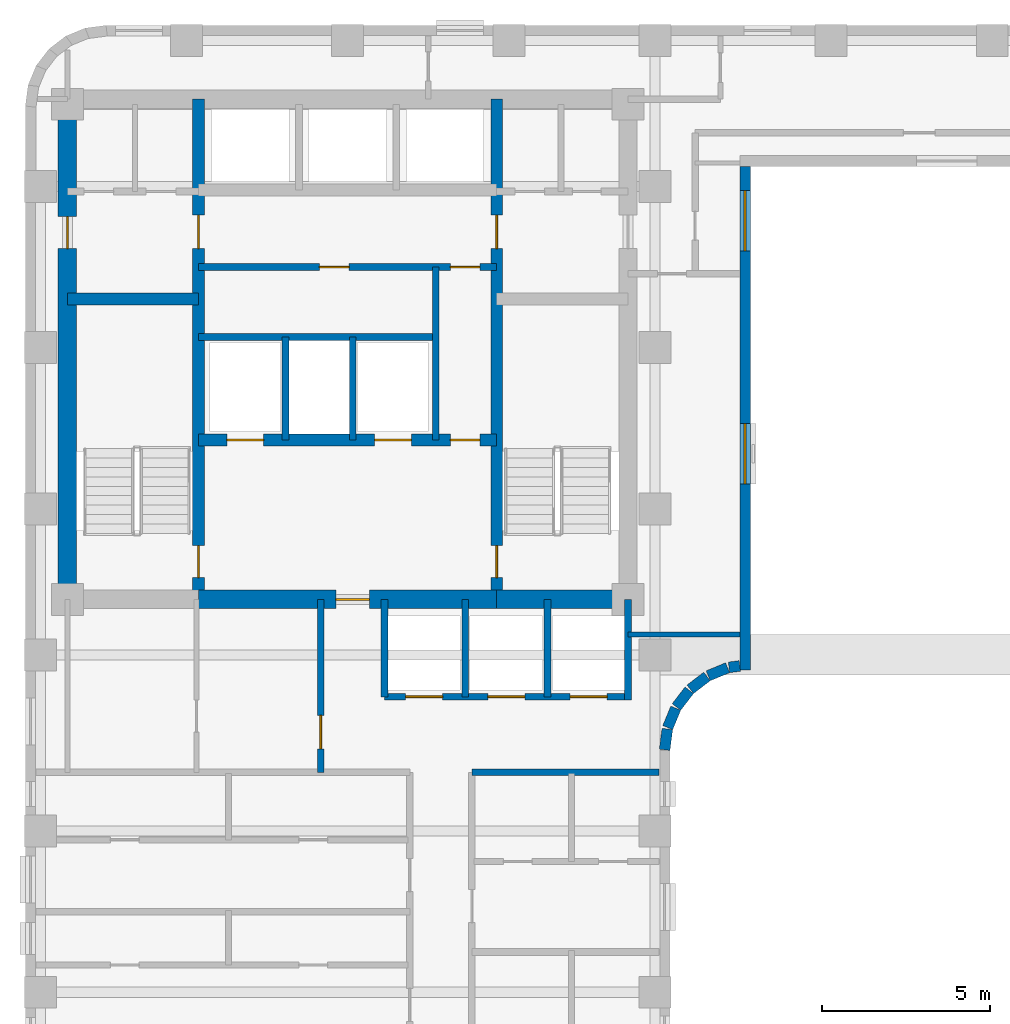
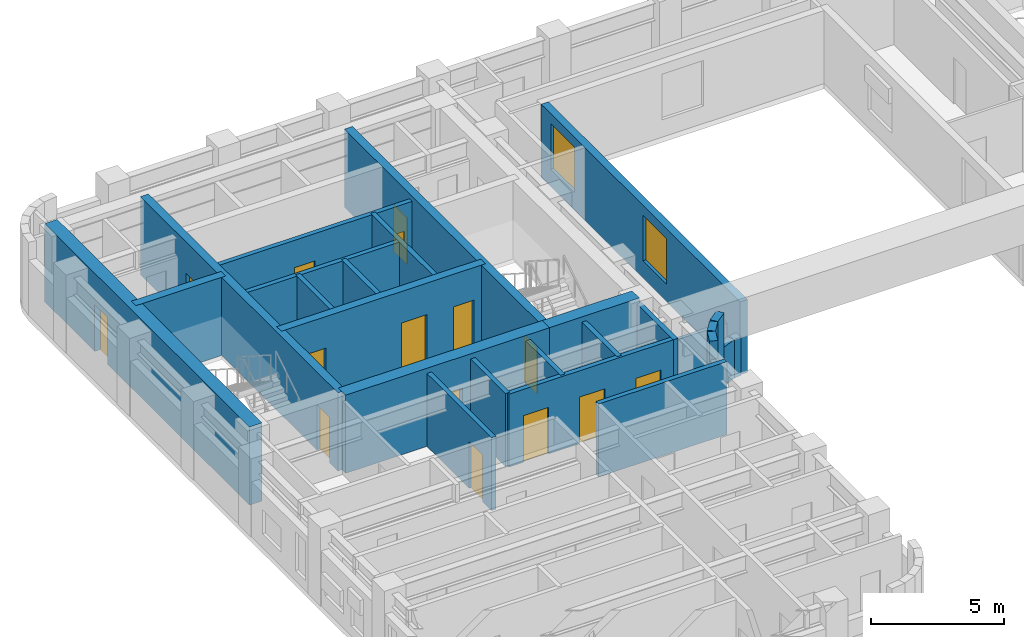
# One storey, part 4 of 8: 27 walls, 15 doors, 2 windows, 17 openings.
"""IFC4 building model written with IfcOpenShell, lengths in metres."""

from ifc_helpers import new_model, si_unit, direction, frame, frame_2d, origin, place, context, subcontext, project, spatial, rectangle, extrude, material, layer, layer_set, type_object, element, fill, save


model = new_model("IFC4")

# Units and contexts
model_context = context("Model", 3, precision=1e-05, world=origin(), true_north=direction((0.0, 1.0)))
body_context = subcontext(model_context, "Body", "Model", "MODEL_VIEW")
ifc_project = project(units=[si_unit("LENGTHUNIT", "METRE"), si_unit("AREAUNIT", "SQUARE_METRE"), si_unit("VOLUMEUNIT", "CUBIC_METRE"), si_unit("PLANEANGLEUNIT", "RADIAN"), si_unit("MASSUNIT", "GRAM", prefix="KILO")], contexts=[model_context])

# Site, building, storey
site_placement = place(None, origin())
site = spatial("IfcSite", under=ifc_project, at=site_placement, CompositionType="ELEMENT")
building_placement = place(site_placement, origin())
building = spatial("IfcBuilding", under=site, at=building_placement, Name="Orvandelia Arch Residences", CompositionType="ELEMENT")
storey_placement = place(building_placement, frame((0.0, 0.0, 107.199951171875)))
storey = spatial("IfcBuildingStorey", under=building, at=storey_placement, Name="L27", CompositionType="ELEMENT", Elevation=107.199951171875)

# Wall, openings, doors
ifc_material_1 = material(Name="Concrete C50/60", Category="concrete")
ifc_layer_1 = layer(ifc_material_1, 0.35009765625, Name="Concrete C50/60", Category="concrete")
ifc_layer_set_1 = layer_set([ifc_layer_1], Name="Concrete C50/60")
wall_type_1 = type_object("IfcWallType", Name="WL-CORE-350", PredefinedType="SHEAR", material=ifc_layer_set_1)
wall_1_placement = place(storey_placement, frame((9.9599609375, 30.89990234375, 0.0), z_axis=(0.0, 0.0, 1.0), x_axis=(0.0, 1.0, 0.0)))
wall_1 = element("IfcWall", 1, at=wall_1_placement, inside=storey, type_object=wall_type_1, Name="Core Shear Wall L27-WEB1", PredefinedType="SHEAR", context=body_context, shape_type="SweptSolid", body=[
    extrude(rectangle(XDim=14.900146484375, YDim=0.35009765625, at=frame_2d((7.4501953125, 0.0))), origin(), (0.0, 0.0, 1.0), 3.60009765625),
])
opening_1_placement = place(wall_1_placement, frame((0.64990234375, 0.0, 0.0)))
opening_1 = element("IfcOpeningElement", 2, at=opening_1_placement, cuts=wall_1, Name="Opening D7", PredefinedType="OPENING", context=body_context, shape_type="SweptSolid", body=[
    extrude(rectangle(XDim=0.949951171875, YDim=2.10009765625, at=frame_2d((0.47509765625, 1.050048828125))), frame((0.0, 0.18505859375, 0.0), z_axis=(0.0, -1.0, 0.0), x_axis=(1.0, 0.0, 0.0)), (0.0, 0.0, 1.0), 0.3701171875),
])
opening_2_placement = place(wall_1_placement, frame((10.449951171875, 0.0, 0.0)))
opening_2 = element("IfcOpeningElement", 3, at=opening_2_placement, cuts=wall_1, Name="Opening D6", PredefinedType="OPENING", context=body_context, shape_type="SweptSolid", body=[
    extrude(rectangle(XDim=1.0, YDim=2.14990234375, at=frame_2d((0.5, 1.074951171875))), frame((0.0, 0.18505859375, 0.0), z_axis=(0.0, -1.0, 0.0), x_axis=(1.0, 0.0, 0.0)), (0.0, 0.0, 1.0), 0.3701171875),
])
ifc_material_2 = material(Name="Smokeproof Painted Steel Fire Door", Category="steel")
door_type_1 = type_object("IfcDoorType", Name="DR-FD60-1000", OperationType="NOTDEFINED", PredefinedType="DOOR", material=ifc_material_2)
door_1_placement = place(opening_2_placement, origin())
door_1 = element("IfcDoor", 4, at=door_1_placement, inside=storey, type_object=door_type_1, Name="High-Rise Lift Hall West Vestibule Door L27", OperationType="SINGLE_SWING_LEFT", OverallHeight=2.14990234375, OverallWidth=1.0, PredefinedType="DOOR", context=body_context, shape_type="SweptSolid", body=[
    extrude(rectangle(XDim=1.0, YDim=2.14990234375, at=frame_2d((0.5, 1.074951171875))), frame((0.0, 0.02490234375, 0.0), z_axis=(0.0, -1.0, 0.0), x_axis=(1.0, 0.0, 0.0)), (0.0, 0.0, 1.0), 0.050048828125),
])
fill(opening_2, door_1)
ifc_material_3 = material(Name="Pressurised Stairwell Fire Door")
door_type_2 = type_object("IfcDoorType", Name="DR-STAIR-950", OperationType="NOTDEFINED", PredefinedType="DOOR", material=ifc_material_3)
door_2_placement = place(opening_1_placement, origin())
door_2 = element("IfcDoor", 5, at=door_2_placement, inside=storey, type_object=door_type_2, Name="Stairwell ST-1 Fire Door L27", OperationType="SINGLE_SWING_LEFT", OverallHeight=2.10009765625, OverallWidth=0.949951171875, PredefinedType="DOOR", context=body_context, shape_type="SweptSolid", body=[
    extrude(rectangle(XDim=0.949951171875, YDim=2.10009765625, at=frame_2d((0.47509765625, 1.050048828125))), frame((0.0, 0.02490234375, 0.0), z_axis=(0.0, -1.0, 0.0), x_axis=(1.0, 0.0, 0.0)), (0.0, 0.0, 1.0), 0.050048828125),
])
fill(opening_1, door_2)

wall_2_placement = place(storey_placement, frame((18.840087890625, 30.89990234375, 0.0), z_axis=(0.0, 0.0, 1.0), x_axis=(0.0, 1.0, 0.0)))
wall_2 = element("IfcWall", 6, at=wall_2_placement, inside=storey, type_object=wall_type_1, Name="Core Shear Wall L27-WEB2", PredefinedType="SHEAR", context=body_context, shape_type="SweptSolid", body=[
    extrude(rectangle(XDim=14.900146484375, YDim=0.35009765625, at=frame_2d((7.4501953125, 0.0))), origin(), (0.0, 0.0, 1.0), 3.60009765625),
])
opening_3_placement = place(wall_2_placement, frame((0.64990234375, 0.0, 0.0)))
opening_3 = element("IfcOpeningElement", 7, at=opening_3_placement, cuts=wall_2, Name="Opening D7", PredefinedType="OPENING", context=body_context, shape_type="SweptSolid", body=[
    extrude(rectangle(XDim=0.949951171875, YDim=2.10009765625, at=frame_2d((0.47509765625, 1.050048828125))), frame((0.0, 0.18505859375, 0.0), z_axis=(0.0, -1.0, 0.0), x_axis=(1.0, 0.0, 0.0)), (0.0, 0.0, 1.0), 0.3701171875),
])
opening_4_placement = place(wall_2_placement, frame((10.449951171875, 0.0, 0.0)))
opening_4 = element("IfcOpeningElement", 8, at=opening_4_placement, cuts=wall_2, Name="Opening D6", PredefinedType="OPENING", context=body_context, shape_type="SweptSolid", body=[
    extrude(rectangle(XDim=1.0, YDim=2.14990234375, at=frame_2d((0.5, 1.074951171875))), frame((0.0, 0.18505859375, 0.0), z_axis=(0.0, -1.0, 0.0), x_axis=(1.0, 0.0, 0.0)), (0.0, 0.0, 1.0), 0.3701171875),
])
door_3_placement = place(opening_4_placement, origin())
door_3 = element("IfcDoor", 9, at=door_3_placement, inside=storey, type_object=door_type_1, Name="High-Rise Lift Hall East Vestibule Door L27", OperationType="SINGLE_SWING_RIGHT", OverallHeight=2.14990234375, OverallWidth=1.0, PredefinedType="DOOR", context=body_context, shape_type="SweptSolid", body=[
    extrude(rectangle(XDim=1.0, YDim=2.14990234375, at=frame_2d((0.5, 1.074951171875))), frame((0.0, 0.02490234375, 0.0), z_axis=(0.0, -1.0, 0.0), x_axis=(1.0, 0.0, 0.0)), (0.0, 0.0, 1.0), 0.050048828125),
])
fill(opening_4, door_3)
door_4_placement = place(opening_3_placement, origin())
door_4 = element("IfcDoor", 10, at=door_4_placement, inside=storey, type_object=door_type_2, Name="Stairwell ST-2 Fire Door L27", OperationType="SINGLE_SWING_RIGHT", OverallHeight=2.10009765625, OverallWidth=0.949951171875, PredefinedType="DOOR", context=body_context, shape_type="SweptSolid", body=[
    extrude(rectangle(XDim=0.949951171875, YDim=2.10009765625, at=frame_2d((0.47509765625, 1.050048828125))), frame((0.0, 0.02490234375, 0.0), z_axis=(0.0, -1.0, 0.0), x_axis=(1.0, 0.0, 0.0)), (0.0, 0.0, 1.0), 0.050048828125),
])
fill(opening_3, door_4)

# Wall
wall_3_placement = place(storey_placement, frame((6.050048828125, 39.85009765625, 0.0), z_axis=(0.0, 0.0, 1.0), x_axis=(1.0, 0.0, 0.0)))
element("IfcWall", 11, at=wall_3_placement, inside=storey, type_object=wall_type_1, Name="Core Shear Wall L27-HZ1", PredefinedType="SHEAR", context=body_context, shape_type="SweptSolid", body=[
    extrude(rectangle(XDim=3.909912109375, YDim=0.35009765625, at=frame_2d((1.955078125, 0.0))), origin(), (0.0, 0.0, 1.0), 3.60009765625),
])

# Wall, openings, doors
wall_4_placement = place(storey_placement, frame((9.9599609375, 35.64990234375, 0.0), z_axis=(0.0, 0.0, 1.0), x_axis=(1.0, 0.0, 0.0)))
wall_4 = element("IfcWall", 12, at=wall_4_placement, inside=storey, type_object=wall_type_1, Name="Core Shear Wall L27-HZ3", PredefinedType="SHEAR", context=body_context, shape_type="SweptSolid", body=[
    extrude(rectangle(XDim=8.880126953125, YDim=0.35009765625, at=frame_2d((4.43994140625, 0.0))), origin(), (0.0, 0.0, 1.0), 3.60009765625),
])
opening_5_placement = place(wall_4_placement, frame((0.840087890625, 0.0, 0.0)))
opening_5 = element("IfcOpeningElement", 13, at=opening_5_placement, cuts=wall_4, Name="Opening FLD", PredefinedType="OPENING", context=body_context, shape_type="SweptSolid", body=[
    extrude(rectangle(XDim=1.10009765625, YDim=2.14990234375, at=frame_2d((0.550048828125, 1.074951171875))), frame((0.0, 0.18505859375, 0.0), z_axis=(0.0, -1.0, 0.0), x_axis=(1.0, 0.0, 0.0)), (0.0, 0.0, 1.0), 0.3701171875),
])
opening_6_placement = place(wall_4_placement, frame((5.239990234375, 0.0, 0.0)))
opening_6 = element("IfcOpeningElement", 14, at=opening_6_placement, cuts=wall_4, Name="Opening FLD", PredefinedType="OPENING", context=body_context, shape_type="SweptSolid", body=[
    extrude(rectangle(XDim=1.10009765625, YDim=2.14990234375, at=frame_2d((0.550048828125, 1.074951171875))), frame((0.0, 0.18505859375, 0.0), z_axis=(0.0, -1.0, 0.0), x_axis=(1.0, 0.0, 0.0)), (0.0, 0.0, 1.0), 0.3701171875),
])
opening_7_placement = place(wall_4_placement, frame((7.5, 0.0, 0.0)))
opening_7 = element("IfcOpeningElement", 15, at=opening_7_placement, cuts=wall_4, Name="Opening D5", PredefinedType="OPENING", context=body_context, shape_type="SweptSolid", body=[
    extrude(rectangle(XDim=0.8798828125, YDim=2.10009765625, at=frame_2d((0.43994140625, 1.050048828125))), frame((0.0, 0.18505859375, 0.0), z_axis=(0.0, -1.0, 0.0), x_axis=(1.0, 0.0, 0.0)), (0.0, 0.0, 1.0), 0.3701171875),
])
ifc_material_4 = material(Name="Firefighting Lift Stainless Sliding Door")
door_type_3 = type_object("IfcDoorType", Name="DR-FLFT-1100", OperationType="NOTDEFINED", PredefinedType="DOOR", material=ifc_material_4)
door_5_placement = place(opening_5_placement, origin())
door_5 = element("IfcDoor", 16, at=door_5_placement, inside=storey, type_object=door_type_3, Name="Firefighting Lift Landing Door FLD-FL1-L27", OperationType="SLIDING_TO_LEFT", OverallHeight=2.14990234375, OverallWidth=1.10009765625, PredefinedType="DOOR", context=body_context, shape_type="SweptSolid", body=[
    extrude(rectangle(XDim=1.10009765625, YDim=2.14990234375, at=frame_2d((0.550048828125, 1.074951171875))), frame((0.0, 0.02490234375, 0.0), z_axis=(0.0, -1.0, 0.0), x_axis=(1.0, 0.0, 0.0)), (0.0, 0.0, 1.0), 0.050048828125),
])
fill(opening_5, door_5)
door_6_placement = place(opening_6_placement, origin())
door_6 = element("IfcDoor", 17, at=door_6_placement, inside=storey, type_object=door_type_3, Name="Firefighting Lift Landing Door FLD-FL2-L27", OperationType="SLIDING_TO_RIGHT", OverallHeight=2.14990234375, OverallWidth=1.10009765625, PredefinedType="DOOR", context=body_context, shape_type="SweptSolid", body=[
    extrude(rectangle(XDim=1.10009765625, YDim=2.14990234375, at=frame_2d((0.550048828125, 1.074951171875))), frame((0.0, 0.02490234375, 0.0), z_axis=(0.0, -1.0, 0.0), x_axis=(1.0, 0.0, 0.0)), (0.0, 0.0, 1.0), 0.050048828125),
])
fill(opening_6, door_6)
ifc_material_5 = material(Name="Painted Galvanised Steel Service Door", Category="steel")
door_type_4 = type_object("IfcDoorType", Name="DR-SRV-880", OperationType="NOTDEFINED", PredefinedType="DOOR", material=ifc_material_5)
door_7_placement = place(opening_7_placement, origin())
door_7 = element("IfcDoor", 18, at=door_7_placement, inside=storey, type_object=door_type_4, Name="Core Stairway Passage South Fire Door L27", OperationType="SINGLE_SWING_LEFT", OverallHeight=2.10009765625, OverallWidth=0.8798828125, PredefinedType="DOOR", context=body_context, shape_type="SweptSolid", body=[
    extrude(rectangle(XDim=0.8798828125, YDim=2.10009765625, at=frame_2d((0.43994140625, 1.050048828125))), frame((0.0, 0.02490234375, 0.0), z_axis=(0.0, -1.0, 0.0), x_axis=(1.0, 0.0, 0.0)), (0.0, 0.0, 1.0), 0.050048828125),
])
fill(opening_7, door_7)

# Wall, opening, door
ifc_material_6 = material(Name="Concrete C60/75", Category="concrete")
ifc_layer_2 = layer(ifc_material_6, 0.550048828125, Name="Concrete C60/75", Category="concrete")
ifc_layer_set_2 = layer_set([ifc_layer_2], Name="Concrete C60/75")
wall_type_2 = type_object("IfcWallType", Name="WL-CORE-550", PredefinedType="SHEAR", material=ifc_layer_set_2)
wall_5_placement = place(storey_placement, frame((6.050048828125, 30.625, 0.0), z_axis=(0.0, 0.0, 1.0), x_axis=(0.0, 1.0, 0.0)))
wall_5 = element("IfcWall", 19, at=wall_5_placement, inside=storey, type_object=wall_type_2, Name="Core Shear Wall L27-W", PredefinedType="SHEAR", context=body_context, shape_type="SweptSolid", body=[
    extrude(rectangle(XDim=15.449951171875, YDim=0.550048828125, at=frame_2d((7.72509765625, 0.0))), origin(), (0.0, 0.0, 1.0), 3.60009765625),
])
opening_8_placement = place(wall_5_placement, frame((10.72509765625, 0.0, 0.0)))
opening_8 = element("IfcOpeningElement", 20, at=opening_8_placement, cuts=wall_5, Name="Opening D2", PredefinedType="OPENING", context=body_context, shape_type="SweptSolid", body=[
    extrude(rectangle(XDim=0.949951171875, YDim=2.14990234375, at=frame_2d((0.47509765625, 1.074951171875))), frame((0.0, 0.28515625, 0.0), z_axis=(0.0, -1.0, 0.0), x_axis=(1.0, 0.0, 0.0)), (0.0, 0.0, 1.0), 0.570068359375),
])
ifc_material_7 = material(Name="Solid-Core Timber Interior Fire Door", Category="wood")
door_type_5 = type_object("IfcDoorType", Name="DR-APT-950", OperationType="NOTDEFINED", PredefinedType="DOOR", material=ifc_material_7)
door_8_placement = place(opening_8_placement, origin())
door_8 = element("IfcDoor", 21, at=door_8_placement, inside=storey, type_object=door_type_5, Name="West Viewing Study Door L27", OperationType="SINGLE_SWING_RIGHT", OverallHeight=2.14990234375, OverallWidth=0.949951171875, PredefinedType="DOOR", context=body_context, shape_type="SweptSolid", body=[
    extrude(rectangle(XDim=0.949951171875, YDim=2.14990234375, at=frame_2d((0.47509765625, 1.074951171875))), frame((0.0, 0.02490234375, 0.0), z_axis=(0.0, -1.0, 0.0), x_axis=(1.0, 0.0, 0.0)), (0.0, 0.0, 1.0), 0.050048828125),
])
fill(opening_8, door_8)

wall_6_placement = place(storey_placement, frame((9.9599609375, 30.89990234375, 0.0), z_axis=(0.0, 0.0, 1.0), x_axis=(1.0, 0.0, 0.0)))
wall_6 = element("IfcWall", 22, at=wall_6_placement, inside=storey, type_object=wall_type_2, Name="Core Shear Wall L27-SM", PredefinedType="SHEAR", context=body_context, shape_type="SweptSolid", body=[
    extrude(rectangle(XDim=8.880126953125, YDim=0.550048828125, at=frame_2d((4.43994140625, 0.0))), origin(), (0.0, 0.0, 1.0), 3.60009765625),
])
opening_9_placement = place(wall_6_placement, frame((4.090087890625, 0.0, 0.0)))
opening_9 = element("IfcOpeningElement", 23, at=opening_9_placement, cuts=wall_6, Name="Opening D6", PredefinedType="OPENING", context=body_context, shape_type="SweptSolid", body=[
    extrude(rectangle(XDim=1.0, YDim=2.14990234375, at=frame_2d((0.5, 1.074951171875))), frame((0.0, 0.28515625, 0.0), z_axis=(0.0, -1.0, 0.0), x_axis=(1.0, 0.0, 0.0)), (0.0, 0.0, 1.0), 0.570068359375),
])
door_9_placement = place(opening_9_placement, origin())
door_9 = element("IfcDoor", 24, at=door_9_placement, inside=storey, type_object=door_type_1, Name="Firefighting Lobby Smokeproof Door L27", OperationType="SINGLE_SWING_LEFT", OverallHeight=2.14990234375, OverallWidth=1.0, PredefinedType="DOOR", context=body_context, shape_type="SweptSolid", body=[
    extrude(rectangle(XDim=1.0, YDim=2.14990234375, at=frame_2d((0.5, 1.074951171875))), frame((0.0, 0.02490234375, 0.0), z_axis=(0.0, -1.0, 0.0), x_axis=(1.0, 0.0, 0.0)), (0.0, 0.0, 1.0), 0.050048828125),
])
fill(opening_9, door_9)

# Walls
wall_7_placement = place(storey_placement, frame((18.840087890625, 30.89990234375, 0.0), z_axis=(0.0, 0.0, 1.0), x_axis=(1.0, 0.0, 0.0)))
element("IfcWall", 25, at=wall_7_placement, inside=storey, type_object=wall_type_2, Name="Core Shear Wall L27-SE", PredefinedType="SHEAR", context=body_context, shape_type="SweptSolid", body=[
    extrude(rectangle(XDim=3.909912109375, YDim=0.550048828125, at=frame_2d((1.955078125, 0.0))), origin(), (0.0, 0.0, 1.0), 3.60009765625),
])
ifc_material_8 = material(Name="Fire-Rated Corridor Partition")
ifc_layer_3 = layer(ifc_material_8, 0.199951171875, Name="Fire-Rated Corridor Partition")
ifc_layer_set_3 = layer_set([ifc_layer_3], Name="Fire-Rated Corridor Partition")
wall_type_3 = type_object("IfcWallType", Name="WL-CORR-200", PredefinedType="PARTITIONING", material=ifc_layer_set_3)
wall_8_placement = place(storey_placement, frame((18.10009765625, 25.75, 0.0), z_axis=(0.0, 0.0, 1.0), x_axis=(1.0, 0.0, 0.0)))
element("IfcWall", 26, at=wall_8_placement, inside=storey, type_object=wall_type_3, Name="Interior Partition Wall WL-L27-WCLS-E", PredefinedType="PARTITIONING", context=body_context, shape_type="SweptSolid", body=[
    extrude(rectangle(XDim=5.579833984375, YDim=0.199951171875, at=frame_2d((2.7900390625, 0.0))), origin(), (0.0, 0.0, 1.0), 3.360107421875),
])

# Wall, openings, windows
ifc_material_9 = material(Name="Precast concrete C40/50", Category="concrete")
ifc_layer_4 = layer(ifc_material_9, 0.320068359375, Name="Precast concrete C40/50", Category="concrete")
ifc_layer_set_4 = layer_set([ifc_layer_4], Name="Precast concrete C40/50")
wall_type_4 = type_object("IfcWallType", Name="WL-EXT-STONE-320", PredefinedType="STANDARD", material=ifc_layer_set_4)
wall_9_placement = place(storey_placement, frame((26.239990234375, 43.800048828125, 0.0), z_axis=(0.0, 0.0, 1.0), x_axis=(0.0, -1.0, 0.0)))
wall_9 = element("IfcWall", 27, at=wall_9_placement, inside=storey, type_object=wall_type_4, Name="Coral-Limestone Precast Facade Wall L27-024", PredefinedType="STANDARD", context=body_context, shape_type="SweptSolid", body=[
    extrude(rectangle(XDim=15.0, YDim=0.320068359375, at=frame_2d((7.5, 0.0))), origin(), (0.0, 0.0, 1.0), 3.360107421875),
])
opening_10_placement = place(wall_9_placement, frame((7.6650390625, 0.0, 0.800048828125)))
opening_10 = element("IfcOpeningElement", 28, at=opening_10_placement, cuts=wall_9, Name="Opening W1", PredefinedType="OPENING", context=body_context, shape_type="SweptSolid", body=[
    extrude(rectangle(XDim=1.800048828125, YDim=2.10009765625, at=frame_2d((0.89990234375, 1.050048828125))), frame((0.0, 0.169921875, 0.0), z_axis=(0.0, -1.0, 0.0), x_axis=(1.0, 0.0, 0.0)), (0.0, 0.0, 1.0), 0.340087890625),
])
opening_11_placement = place(wall_9_placement, frame((0.719970703125, 0.0, 0.800048828125)))
opening_11 = element("IfcOpeningElement", 29, at=opening_11_placement, cuts=wall_9, Name="Opening W1", PredefinedType="OPENING", context=body_context, shape_type="SweptSolid", body=[
    extrude(rectangle(XDim=1.800048828125, YDim=2.10009765625, at=frame_2d((0.89990234375, 1.050048828125))), frame((0.0, 0.169921875, 0.0), z_axis=(0.0, -1.0, 0.0), x_axis=(1.0, 0.0, 0.0)), (0.0, 0.0, 1.0), 0.340087890625),
])
ifc_material_10 = material(Name="Tempered Low-E Insulated Glazing", Category="glass")
window_type = type_object("IfcWindowType", Name="WIN-RES-1800x2100", PartitioningType="SINGLE_PANEL", PredefinedType="WINDOW", material=ifc_material_10)
window_1_placement = place(opening_10_placement, origin())
window_1 = element("IfcWindow", 30, at=window_1_placement, inside=storey, type_object=window_type, Name="Recessed Punched Window L27-009", OverallHeight=2.10009765625, OverallWidth=1.800048828125, PartitioningType="SINGLE_PANEL", PredefinedType="WINDOW", context=body_context, shape_type="SweptSolid", body=[
    extrude(rectangle(XDim=1.800048828125, YDim=2.10009765625, at=frame_2d((0.89990234375, 1.050048828125))), frame((0.0, 0.030029296875, 0.0), z_axis=(0.0, -1.0, 0.0), x_axis=(1.0, 0.0, 0.0)), (0.0, 0.0, 1.0), 0.06005859375),
])
fill(opening_10, window_1)
window_2_placement = place(opening_11_placement, origin())
window_2 = element("IfcWindow", 31, at=window_2_placement, inside=storey, type_object=window_type, Name="Recessed Punched Window L27-010", OverallHeight=2.10009765625, OverallWidth=1.800048828125, PartitioningType="SINGLE_PANEL", PredefinedType="WINDOW", context=body_context, shape_type="SweptSolid", body=[
    extrude(rectangle(XDim=1.800048828125, YDim=2.10009765625, at=frame_2d((0.89990234375, 1.050048828125))), frame((0.0, 0.030029296875, 0.0), z_axis=(0.0, -1.0, 0.0), x_axis=(1.0, 0.0, 0.0)), (0.0, 0.0, 1.0), 0.06005859375),
])
fill(opening_11, window_2)

# Walls
wall_10_placement = place(storey_placement, frame((26.081787109375, 28.91943359375, 0.0), z_axis=(0.0, 0.0, 1.0), x_axis=(-0.991512688813, -0.130009953168, 0.0)))
element("IfcWall", 32, at=wall_10_placement, inside=storey, type_object=wall_type_4, Name="Coral-Limestone Precast Facade Wall L27-025", PredefinedType="STANDARD", context=body_context, shape_type="SweptSolid", body=[
    extrude(rectangle(XDim=0.32666015625, YDim=0.320068359375, at=frame_2d((0.163330078125, 0.0))), origin(), (0.0, 0.0, 1.0), 1.780029296875),
])
wall_11_placement = place(storey_placement, frame((25.717529296875, 28.865966796875, 0.0), z_axis=(0.0, 0.0, 1.0), x_axis=(-0.923836271867, -0.382787856107, 0.0)))
element("IfcWall", 33, at=wall_11_placement, inside=storey, type_object=wall_type_4, Name="Coral-Limestone Precast Facade Wall L27-026", PredefinedType="STANDARD", context=body_context, shape_type="SweptSolid", body=[
    extrude(rectangle(XDim=0.626220703125, YDim=0.320068359375, at=frame_2d((0.31298828125, 0.0))), origin(), (0.0, 0.0, 1.0), 1.780029296875),
])
for number, where, z_axis, x_axis, name in (
    (34, (25.1025390625, 28.60546875, 0.0), (0.0, 0.0, 1.0), (-0.793405610854, -0.608693302629, 0.0), "Coral-Limestone Precast Facade Wall L27-027"),
    (35, (24.575927734375, 28.194580078125, 0.0), (0.0, 0.0, 1.0), (-0.608693302629, -0.793405610854, 0.0), "Coral-Limestone Precast Facade Wall L27-028"),
):
    element("IfcWall", number, at=place(storey_placement, frame(where, z_axis=z_axis, x_axis=x_axis)), inside=storey, type_object=wall_type_4, Name=name, PredefinedType="STANDARD", context=body_context, shape_type="SweptSolid", body=[
        extrude(rectangle(XDim=0.62646484375, YDim=0.320068359375, at=frame_2d((0.313232421875, 0.0))), origin(), (0.0, 0.0, 1.0), 3.360107421875),
    ])
wall_12_placement = place(storey_placement, frame((24.173583984375, 27.6611328125, 0.0), z_axis=(0.0, 0.0, 1.0), x_axis=(-0.382455093999, -0.923974080304, 0.0)))
element("IfcWall", 36, at=wall_12_placement, inside=storey, type_object=wall_type_4, Name="Coral-Limestone Precast Facade Wall L27-029", PredefinedType="STANDARD", context=body_context, shape_type="SweptSolid", body=[
    extrude(rectangle(XDim=0.626220703125, YDim=0.320068359375, at=frame_2d((0.31298828125, 0.0))), origin(), (0.0, 0.0, 1.0), 3.360107421875),
])
wall_13_placement = place(storey_placement, frame((23.923095703125, 27.0419921875, 0.0), z_axis=(0.0, 0.0, 1.0), x_axis=(-0.130555323746, -0.9914410257, 0.0)))
element("IfcWall", 37, at=wall_13_placement, inside=storey, type_object=wall_type_4, Name="Coral-Limestone Precast Facade Wall L27-030", PredefinedType="STANDARD", context=body_context, shape_type="SweptSolid", body=[
    extrude(rectangle(XDim=0.62646484375, YDim=0.320068359375, at=frame_2d((0.313232421875, 0.0))), origin(), (0.0, 0.0, 1.0), 2.5400390625),
])
ifc_material_11 = material(Name="Acoustic Gypsum Stud Partition")
ifc_layer_5 = layer(ifc_material_11, 0.14990234375, Name="Acoustic Gypsum Stud Partition")
ifc_layer_set_5 = layer_set([ifc_layer_5], Name="Acoustic Gypsum Stud Partition")
wall_type_5 = type_object("IfcWallType", Name="WL-PART-150", PredefinedType="PARTITIONING", material=ifc_layer_set_5)
wall_14_placement = place(storey_placement, frame((22.75, 29.85009765625, 0.0), z_axis=(0.0, 0.0, 1.0), x_axis=(1.0, 0.0, 0.0)))
element("IfcWall", 38, at=wall_14_placement, inside=storey, type_object=wall_type_5, Name="Interior Partition Wall WL-L27-TRUSS-SW", PredefinedType="PARTITIONING", context=body_context, shape_type="SweptSolid", body=[
    extrude(rectangle(XDim=3.330078125, YDim=0.14990234375, at=frame_2d((1.6650390625, 0.0))), origin(), (0.0, 0.0, 1.0), 1.780029296875),
])
ifc_material_12 = material(Name="Fire-Rated Shaft Enclosure Wall")
ifc_layer_6 = layer(ifc_material_12, 0.199951171875, Name="Fire-Rated Shaft Enclosure Wall")
ifc_layer_set_6 = layer_set([ifc_layer_6], Name="Fire-Rated Shaft Enclosure Wall")
wall_type_6 = type_object("IfcWallType", Name="WL-SHAFT-200", PredefinedType="POLYGONAL", material=ifc_layer_set_6)
wall_15_placement = place(storey_placement, frame((9.9599609375, 38.719970703125, 0.0), z_axis=(0.0, 0.0, 1.0), x_axis=(1.0, 0.0, 0.0)))
element("IfcWall", 39, at=wall_15_placement, inside=storey, type_object=wall_type_6, Name="Interior Partition Wall WL-L27-FLN", PredefinedType="POLYGONAL", context=body_context, shape_type="SweptSolid", body=[
    extrude(rectangle(XDim=7.06005859375, YDim=0.199951171875, at=frame_2d((3.530029296875, 0.0))), origin(), (0.0, 0.0, 1.0), 3.360107421875),
])
for number, where, z_axis, x_axis, name in (
    (40, (12.550048828125, 35.64990234375, 0.0), (0.0, 0.0, 1.0), (0.0, 1.0, 0.0), "Interior Partition Wall WL-L27-FLM1"),
    (41, (14.550048828125, 35.64990234375, 0.0), (0.0, 0.0, 1.0), (0.0, 1.0, 0.0), "Interior Partition Wall WL-L27-FLM2"),
):
    element("IfcWall", number, at=place(storey_placement, frame(where, z_axis=z_axis, x_axis=x_axis)), inside=storey, type_object=wall_type_6, Name=name, PredefinedType="POLYGONAL", context=body_context, shape_type="SweptSolid", body=[
        extrude(rectangle(XDim=3.070068359375, YDim=0.199951171875, at=frame_2d((1.53515625, 0.0))), origin(), (0.0, 0.0, 1.0), 3.360107421875),
    ])
wall_16_placement = place(storey_placement, frame((17.02001953125, 35.64990234375, 0.0), z_axis=(0.0, 0.0, 1.0), x_axis=(0.0, 1.0, 0.0)))
element("IfcWall", 42, at=wall_16_placement, inside=storey, type_object=wall_type_6, Name="Interior Partition Wall WL-L27-FLM3", PredefinedType="POLYGONAL", context=body_context, shape_type="SweptSolid", body=[
    extrude(rectangle(XDim=5.150146484375, YDim=0.199951171875, at=frame_2d((2.5751953125, 0.0))), origin(), (0.0, 0.0, 1.0), 3.360107421875),
])

# Wall, openings, doors
wall_17_placement = place(storey_placement, frame((9.9599609375, 40.800048828125, 0.0), z_axis=(0.0, 0.0, 1.0), x_axis=(1.0, 0.0, 0.0)))
wall_17 = element("IfcWall", 43, at=wall_17_placement, inside=storey, type_object=wall_type_6, Name="Interior Partition Wall WL-L27-HLH-S", PredefinedType="POLYGONAL", context=body_context, shape_type="SweptSolid", body=[
    extrude(rectangle(XDim=8.880126953125, YDim=0.199951171875, at=frame_2d((4.43994140625, 0.0))), origin(), (0.0, 0.0, 1.0), 3.360107421875),
])
opening_12_placement = place(wall_17_placement, frame((7.5, 0.0, 0.0)))
opening_12 = element("IfcOpeningElement", 44, at=opening_12_placement, cuts=wall_17, Name="Opening D5", PredefinedType="OPENING", context=body_context, shape_type="SweptSolid", body=[
    extrude(rectangle(XDim=0.8798828125, YDim=2.10009765625, at=frame_2d((0.43994140625, 1.050048828125))), frame((0.0, 0.10986328125, 0.0), z_axis=(0.0, -1.0, 0.0), x_axis=(1.0, 0.0, 0.0)), (0.0, 0.0, 1.0), 0.219970703125),
])
opening_13_placement = place(wall_17_placement, frame((3.60009765625, 0.0, 0.0)))
opening_13 = element("IfcOpeningElement", 45, at=opening_13_placement, cuts=wall_17, Name="Opening D5", PredefinedType="OPENING", context=body_context, shape_type="SweptSolid", body=[
    extrude(rectangle(XDim=0.8798828125, YDim=2.10009765625, at=frame_2d((0.43994140625, 1.050048828125))), frame((0.0, 0.10986328125, 0.0), z_axis=(0.0, -1.0, 0.0), x_axis=(1.0, 0.0, 0.0)), (0.0, 0.0, 1.0), 0.219970703125),
])
door_10_placement = place(opening_12_placement, origin())
door_10 = element("IfcDoor", 46, at=door_10_placement, inside=storey, type_object=door_type_4, Name="Core Stairway Passage North Fire Door L27", OperationType="SINGLE_SWING_RIGHT", OverallHeight=2.10009765625, OverallWidth=0.8798828125, PredefinedType="DOOR", context=body_context, shape_type="SweptSolid", body=[
    extrude(rectangle(XDim=0.8798828125, YDim=2.10009765625, at=frame_2d((0.43994140625, 1.050048828125))), frame((0.0, 0.02490234375, 0.0), z_axis=(0.0, -1.0, 0.0), x_axis=(1.0, 0.0, 0.0)), (0.0, 0.0, 1.0), 0.050048828125),
])
fill(opening_12, door_10)
door_11_placement = place(opening_13_placement, origin())
door_11 = element("IfcDoor", 47, at=door_11_placement, inside=storey, type_object=door_type_4, Name="DR-L27-CSA1", OperationType="SINGLE_SWING_LEFT", OverallHeight=2.10009765625, OverallWidth=0.8798828125, PredefinedType="DOOR", context=body_context, shape_type="SweptSolid", body=[
    extrude(rectangle(XDim=0.8798828125, YDim=2.10009765625, at=frame_2d((0.43994140625, 1.050048828125))), frame((0.0, 0.02490234375, 0.0), z_axis=(0.0, -1.0, 0.0), x_axis=(1.0, 0.0, 0.0)), (0.0, 0.0, 1.0), 0.050048828125),
])
fill(opening_13, door_11)

# Wall, opening, door
wall_18_placement = place(storey_placement, frame((13.60009765625, 25.75, 0.0), z_axis=(0.0, 0.0, 1.0), x_axis=(0.0, 1.0, 0.0)))
wall_18 = element("IfcWall", 48, at=wall_18_placement, inside=storey, type_object=wall_type_6, Name="Interior Partition Wall WL-L27-B1REUSE-E", PredefinedType="POLYGONAL", context=body_context, shape_type="SweptSolid", body=[
    extrude(rectangle(XDim=5.14990234375, YDim=0.199951171875, at=frame_2d((2.574951171875, 0.0))), origin(), (0.0, 0.0, 1.0), 3.360107421875),
])
opening_14_placement = place(wall_18_placement, frame((0.699951171875, 0.0, 0.0)))
opening_14 = element("IfcOpeningElement", 49, at=opening_14_placement, cuts=wall_18, Name="Opening D6", PredefinedType="OPENING", context=body_context, shape_type="SweptSolid", body=[
    extrude(rectangle(XDim=1.0, YDim=2.14990234375, at=frame_2d((0.5, 1.074951171875))), frame((0.0, 0.10986328125, 0.0), z_axis=(0.0, -1.0, 0.0), x_axis=(1.0, 0.0, 0.0)), (0.0, 0.0, 1.0), 0.219970703125),
])
door_12_placement = place(opening_14_placement, origin())
door_12 = element("IfcDoor", 50, at=door_12_placement, inside=storey, type_object=door_type_1, Name="DR-L27-B1RB", OperationType="SINGLE_SWING_LEFT", OverallHeight=2.14990234375, OverallWidth=1.0, PredefinedType="DOOR", context=body_context, shape_type="SweptSolid", body=[
    extrude(rectangle(XDim=1.0, YDim=2.14990234375, at=frame_2d((0.5, 1.074951171875))), frame((0.0, 0.02490234375, 0.0), z_axis=(0.0, -1.0, 0.0), x_axis=(1.0, 0.0, 0.0)), (0.0, 0.0, 1.0), 0.050048828125),
])
fill(opening_14, door_12)

# Wall, openings, doors
wall_19_placement = place(storey_placement, frame((15.5, 28.0, 0.0), z_axis=(0.0, 0.0, 1.0), x_axis=(1.0, 0.0, 0.0)))
wall_19 = element("IfcWall", 51, at=wall_19_placement, inside=storey, type_object=wall_type_6, Name="Interior Partition Wall WL-L27-BNKM-S", PredefinedType="POLYGONAL", context=body_context, shape_type="SweptSolid", body=[
    extrude(rectangle(XDim=7.25, YDim=0.199951171875, at=frame_2d((3.625, 0.0))), origin(), (0.0, 0.0, 1.0), 3.360107421875),
])
opening_15_placement = place(wall_19_placement, frame((0.625, 0.0, 0.0)))
opening_15 = element("IfcOpeningElement", 52, at=opening_15_placement, cuts=wall_19, Name="Opening LD", PredefinedType="OPENING", context=body_context, shape_type="SweptSolid", body=[
    extrude(rectangle(XDim=1.10009765625, YDim=2.14990234375, at=frame_2d((0.550048828125, 1.074951171875))), frame((0.0, 0.10986328125, 0.0), z_axis=(0.0, -1.0, 0.0), x_axis=(1.0, 0.0, 0.0)), (0.0, 0.0, 1.0), 0.219970703125),
])
opening_16_placement = place(wall_19_placement, frame((3.074951171875, 0.0, 0.0)))
opening_16 = element("IfcOpeningElement", 53, at=opening_16_placement, cuts=wall_19, Name="Opening LD", PredefinedType="OPENING", context=body_context, shape_type="SweptSolid", body=[
    extrude(rectangle(XDim=1.10009765625, YDim=2.14990234375, at=frame_2d((0.550048828125, 1.074951171875))), frame((0.0, 0.10986328125, 0.0), z_axis=(0.0, -1.0, 0.0), x_axis=(1.0, 0.0, 0.0)), (0.0, 0.0, 1.0), 0.219970703125),
])
opening_17_placement = place(wall_19_placement, frame((5.52490234375, 0.0, 0.0)))
opening_17 = element("IfcOpeningElement", 54, at=opening_17_placement, cuts=wall_19, Name="Opening LD", PredefinedType="OPENING", context=body_context, shape_type="SweptSolid", body=[
    extrude(rectangle(XDim=1.10009765625, YDim=2.14990234375, at=frame_2d((0.550048828125, 1.074951171875))), frame((0.0, 0.10986328125, 0.0), z_axis=(0.0, -1.0, 0.0), x_axis=(1.0, 0.0, 0.0)), (0.0, 0.0, 1.0), 0.219970703125),
])
ifc_material_13 = material(Name="Brushed Stainless Steel Sliding Lift Door", Category="steel")
door_type_6 = type_object("IfcDoorType", Name="DR-LIFT-1100", OperationType="NOTDEFINED", PredefinedType="DOOR", material=ifc_material_13)
door_13_placement = place(opening_15_placement, origin())
door_13 = element("IfcDoor", 55, at=door_13_placement, inside=storey, type_object=door_type_6, Name="Lift Landing Door LD-PM1", OperationType="SLIDING_TO_LEFT", OverallHeight=2.14990234375, OverallWidth=1.10009765625, PredefinedType="DOOR", context=body_context, shape_type="SweptSolid", body=[
    extrude(rectangle(XDim=1.10009765625, YDim=2.14990234375, at=frame_2d((0.550048828125, 1.074951171875))), frame((0.0, 0.02490234375, 0.0), z_axis=(0.0, -1.0, 0.0), x_axis=(1.0, 0.0, 0.0)), (0.0, 0.0, 1.0), 0.050048828125),
])
fill(opening_15, door_13)
door_14_placement = place(opening_16_placement, origin())
door_14 = element("IfcDoor", 56, at=door_14_placement, inside=storey, type_object=door_type_6, Name="Lift Landing Door LD-PM2", OperationType="SLIDING_TO_RIGHT", OverallHeight=2.14990234375, OverallWidth=1.10009765625, PredefinedType="DOOR", context=body_context, shape_type="SweptSolid", body=[
    extrude(rectangle(XDim=1.10009765625, YDim=2.14990234375, at=frame_2d((0.550048828125, 1.074951171875))), frame((0.0, 0.02490234375, 0.0), z_axis=(0.0, -1.0, 0.0), x_axis=(1.0, 0.0, 0.0)), (0.0, 0.0, 1.0), 0.050048828125),
])
fill(opening_16, door_14)
door_15_placement = place(opening_17_placement, origin())
door_15 = element("IfcDoor", 57, at=door_15_placement, inside=storey, type_object=door_type_6, Name="Lift Landing Door LD-PM3", OperationType="SLIDING_TO_LEFT", OverallHeight=2.14990234375, OverallWidth=1.10009765625, PredefinedType="DOOR", context=body_context, shape_type="SweptSolid", body=[
    extrude(rectangle(XDim=1.10009765625, YDim=2.14990234375, at=frame_2d((0.550048828125, 1.074951171875))), frame((0.0, 0.02490234375, 0.0), z_axis=(0.0, -1.0, 0.0), x_axis=(1.0, 0.0, 0.0)), (0.0, 0.0, 1.0), 0.050048828125),
])
fill(opening_17, door_15)

# Walls
wall_20_placement = place(storey_placement, frame((15.5, 28.0, 0.0), z_axis=(0.0, 0.0, 1.0), x_axis=(0.0, 1.0, 0.0)))
element("IfcWall", 58, at=wall_20_placement, inside=storey, type_object=wall_type_6, Name="Interior Partition Wall WL-L27-BNKM-W", PredefinedType="POLYGONAL", context=body_context, shape_type="SweptSolid", body=[
    extrude(rectangle(XDim=2.89990234375, YDim=0.199951171875, at=frame_2d((1.449951171875, 0.0))), origin(), (0.0, 0.0, 1.0), 3.360107421875),
])
wall_21_placement = place(storey_placement, frame((22.75, 27.89990234375, 0.0), z_axis=(0.0, 0.0, 1.0), x_axis=(0.0, 1.0, 0.0)))
element("IfcWall", 59, at=wall_21_placement, inside=storey, type_object=wall_type_6, Name="Interior Partition Wall WL-L27-BNKM-E", PredefinedType="POLYGONAL", context=body_context, shape_type="SweptSolid", body=[
    extrude(rectangle(XDim=3.0, YDim=0.199951171875, at=frame_2d((1.5, 0.0))), origin(), (0.0, 0.0, 1.0), 3.360107421875),
])
for number, where, z_axis, x_axis, name in (
    (60, (17.89990234375, 28.0, 0.0), (0.0, 0.0, 1.0), (0.0, 1.0, 0.0), "Interior Partition Wall WL-L27-BNKMD-1789"),
    (61, (20.35009765625, 28.0, 0.0), (0.0, 0.0, 1.0), (0.0, 1.0, 0.0), "Interior Partition Wall WL-L27-BNKMD-2035"),
):
    element("IfcWall", number, at=place(storey_placement, frame(where, z_axis=z_axis, x_axis=x_axis)), inside=storey, type_object=wall_type_6, Name=name, PredefinedType="POLYGONAL", context=body_context, shape_type="SweptSolid", body=[
        extrude(rectangle(XDim=2.89990234375, YDim=0.199951171875, at=frame_2d((1.449951171875, 0.0))), origin(), (0.0, 0.0, 1.0), 3.360107421875),
    ])

save(model, "model.ifc")
